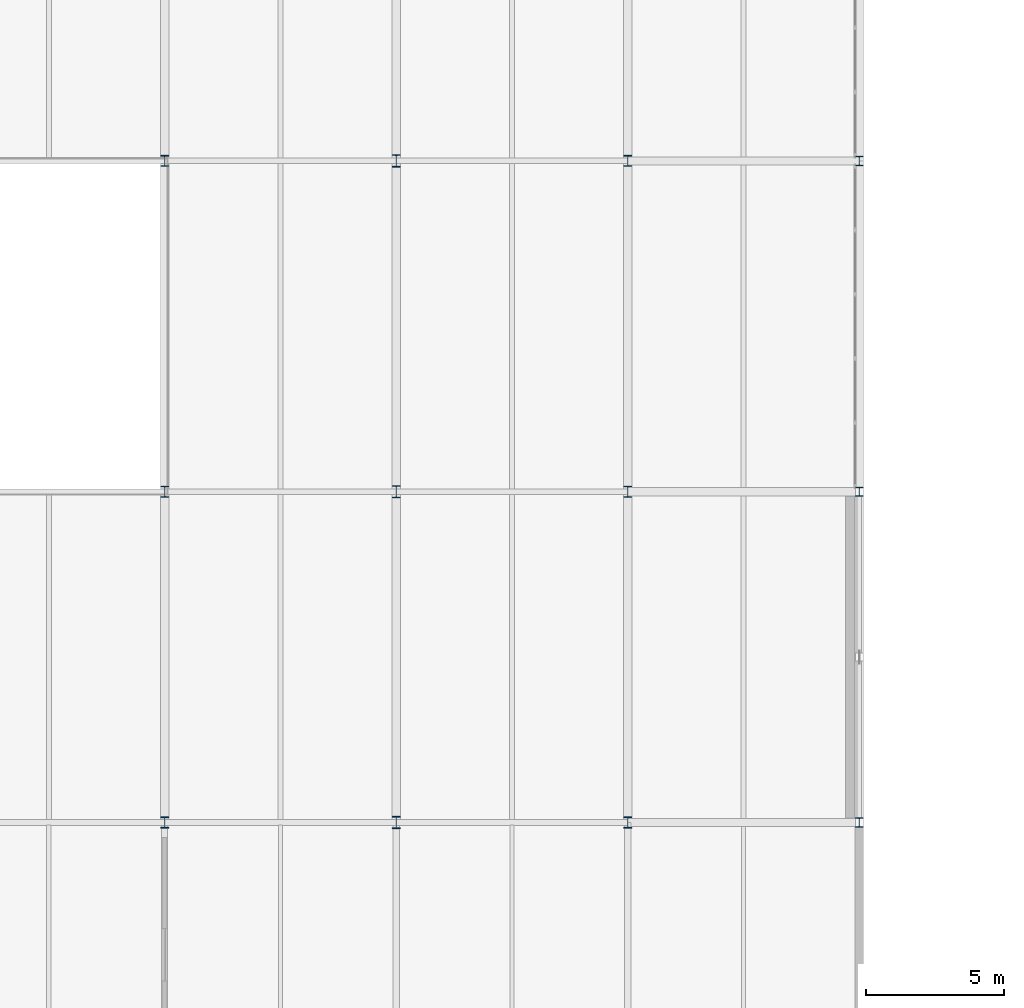
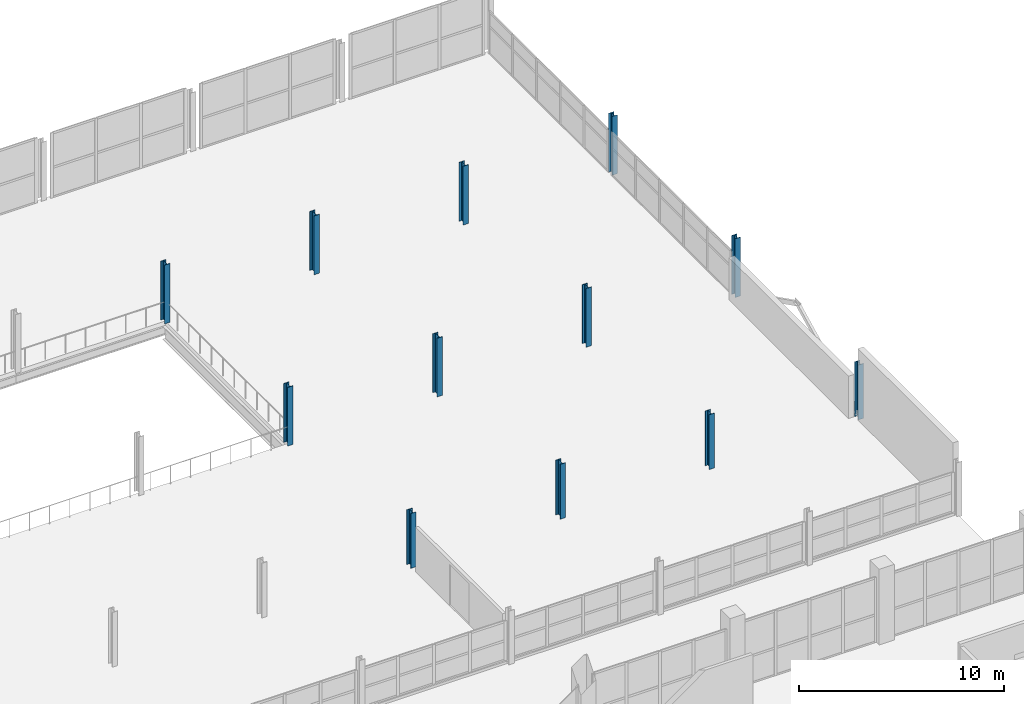
# One storey, part 5 of 103: 12 columns.
"""IFC4 building model written with IfcOpenShell, lengths in metres."""

from ifc_helpers import new_model, si_unit, direction, frame, origin, origin_2d, place, context, subcontext, project, spatial, i_section, extrude, material, material_profile, profile_set, type_object, element, save


model = new_model("IFC4")

# Units and contexts
model_context = context("Model", 3, precision=1e-05, world=origin(), true_north=direction((0.0, 1.0)))
body_context = subcontext(model_context, "Body", "Model", "MODEL_VIEW")
ifc_project = project(units=[si_unit("LENGTHUNIT", "METRE"), si_unit("AREAUNIT", "SQUARE_METRE"), si_unit("VOLUMEUNIT", "CUBIC_METRE"), si_unit("PLANEANGLEUNIT", "RADIAN"), si_unit("MASSUNIT", "GRAM", prefix="KILO")], contexts=[model_context])

# Site, building, storey
site_placement = place(None, origin())
site = spatial("IfcSite", under=ifc_project, at=site_placement, CompositionType="ELEMENT")
building_placement = place(site_placement, origin())
building = spatial("IfcBuilding", under=site, at=building_placement, Name="Veltarok Museum of Natural Sciences", CompositionType="ELEMENT")
storey_placement = place(building_placement, frame((0.0, 0.0, 21.89990234375)))
storey = spatial("IfcBuildingStorey", under=building, at=storey_placement, Name="L04", CompositionType="ELEMENT", Elevation=21.89990234375)

# Columns
ifc_material = material(Name="Steel S355J2", Category="steel")
ifc_material_profile_1 = material_profile(ifc_material, i_section(OverallWidth=0.300048828125, OverallDepth=0.340087890625, WebThickness=0.011962890625, FlangeThickness=0.021484375, FilletRadius=0.027099609375, at=origin_2d()), Name="HEB 340")
ifc_profile_set_1 = profile_set([ifc_material_profile_1], Name="Steel S355J2")
column_type_1 = type_object("IfcColumnType", Name="Perimeter Spine Column HEB 340", PredefinedType="COLUMN", material=ifc_profile_set_1)
column_1_placement = place(storey_placement, frame((98.800048828125, 36.0, 0.0), z_axis=(0.0, 0.0, 1.0), x_axis=(1.0, 0.0, 0.0)))
element("IfcColumn", 1, at=column_1_placement, inside=storey, type_object=column_type_1, Name="Column COL-EXT05 L04 12/E", PredefinedType="COLUMN", context=body_context, shape_type="SweptSolid", body=[
    extrude(i_section(OverallWidth=0.300048828125, OverallDepth=0.340087890625, WebThickness=0.011962890625, FlangeThickness=0.021484375, FilletRadius=0.027099609375, at=origin_2d()), origin(), (0.0, 0.0, 1.0), 3.260009765625),
])
for number, where, z_axis, x_axis, name in (
    (2, (98.800048828125, 48.0, 0.0), (0.0, 0.0, 1.0), (1.0, 0.0, 0.0), "Column COL-EXT05 L04 12/F"),
    (3, (98.800048828125, 60.0, 0.0), (0.0, 0.0, 1.0), (1.0, 0.0, 0.0), "Column COL-EXT05 L04 12/G"),
):
    element("IfcColumn", number, at=place(storey_placement, frame(where, z_axis=z_axis, x_axis=x_axis)), inside=storey, type_object=column_type_1, Name=name, PredefinedType="COLUMN", context=body_context, shape_type="SweptSolid", body=[
        extrude(i_section(OverallWidth=0.300048828125, OverallDepth=0.340087890625, WebThickness=0.011962890625, FlangeThickness=0.021484375, FilletRadius=0.027099609375, at=origin_2d()), origin(), (0.0, 0.0, 1.0), 3.5),
    ])
ifc_material_profile_2 = material_profile(ifc_material, i_section(OverallWidth=0.300048828125, OverallDepth=0.39990234375, WebThickness=0.013427734375, FlangeThickness=0.02392578125, FilletRadius=0.027099609375, at=origin_2d()), Name="HEB 400")
ifc_profile_set_2 = profile_set([ifc_material_profile_2], Name="Steel S355J2")
column_type_2 = type_object("IfcColumnType", Name="Top Storey Column HEB 400", PredefinedType="COLUMN", material=ifc_profile_set_2)
column_2_placement = place(storey_placement, frame((73.60009765625, 36.0, 0.0), z_axis=(0.0, 0.0, 1.0), x_axis=(1.0, 0.0, 0.0)))
element("IfcColumn", 4, at=column_2_placement, inside=storey, type_object=column_type_2, Name="Column COL-S06 L04 9/E", PredefinedType="COLUMN", context=body_context, shape_type="SweptSolid", body=[
    extrude(i_section(OverallWidth=0.300048828125, OverallDepth=0.39990234375, WebThickness=0.013427734375, FlangeThickness=0.02392578125, FilletRadius=0.027099609375, at=origin_2d()), origin(), (0.0, 0.0, 1.0), 3.260009765625),
])
for number, where, z_axis, x_axis, name in (
    (5, (73.60009765625, 48.0, 0.0), (0.0, 0.0, 1.0), (1.0, 0.0, 0.0), "Column COL-S06 L04 9/F"),
    (6, (73.60009765625, 60.0, 0.0), (0.0, 0.0, 1.0), (1.0, 0.0, 0.0), "Column COL-S06 L04 9/G"),
):
    element("IfcColumn", number, at=place(storey_placement, frame(where, z_axis=z_axis, x_axis=x_axis)), inside=storey, type_object=column_type_2, Name=name, PredefinedType="COLUMN", context=body_context, shape_type="SweptSolid", body=[
        extrude(i_section(OverallWidth=0.300048828125, OverallDepth=0.39990234375, WebThickness=0.013427734375, FlangeThickness=0.02392578125, FilletRadius=0.027099609375, at=origin_2d()), origin(), (0.0, 0.0, 1.0), 3.5),
    ])
column_3_placement = place(storey_placement, frame((90.39990234375, 36.0, 0.0), z_axis=(0.0, 0.0, 1.0), x_axis=(1.0, 0.0, 0.0)))
element("IfcColumn", 7, at=column_3_placement, inside=storey, type_object=column_type_2, Name="Column COL-S06 L04 11/E", PredefinedType="COLUMN", context=body_context, shape_type="SweptSolid", body=[
    extrude(i_section(OverallWidth=0.300048828125, OverallDepth=0.39990234375, WebThickness=0.013427734375, FlangeThickness=0.02392578125, FilletRadius=0.027099609375, at=origin_2d()), origin(), (0.0, 0.0, 1.0), 3.260009765625),
])
for number, where, z_axis, x_axis, name in (
    (8, (90.39990234375, 48.0, 0.0), (0.0, 0.0, 1.0), (1.0, 0.0, 0.0), "Column COL-S06 L04 11/F"),
    (9, (90.39990234375, 60.0, 0.0), (0.0, 0.0, 1.0), (1.0, 0.0, 0.0), "Column COL-S06 L04 11/G"),
):
    element("IfcColumn", number, at=place(storey_placement, frame(where, z_axis=z_axis, x_axis=x_axis)), inside=storey, type_object=column_type_2, Name=name, PredefinedType="COLUMN", context=body_context, shape_type="SweptSolid", body=[
        extrude(i_section(OverallWidth=0.300048828125, OverallDepth=0.39990234375, WebThickness=0.013427734375, FlangeThickness=0.02392578125, FilletRadius=0.027099609375, at=origin_2d()), origin(), (0.0, 0.0, 1.0), 3.5),
    ])
ifc_material_profile_3 = material_profile(ifc_material, i_section(OverallWidth=0.300048828125, OverallDepth=0.449951171875, WebThickness=0.013916015625, FlangeThickness=0.02587890625, FilletRadius=0.027099609375, at=origin_2d()), Name="HEB 450")
ifc_profile_set_3 = profile_set([ifc_material_profile_3], Name="Steel S355J2")
column_type_3 = type_object("IfcColumnType", Name="Upper Gallery Column HEB 450", PredefinedType="COLUMN", material=ifc_profile_set_3)
column_4_placement = place(storey_placement, frame((82.0, 36.0, 0.0), z_axis=(0.0, 0.0, 1.0), x_axis=(1.0, 0.0, 0.0)))
element("IfcColumn", 10, at=column_4_placement, inside=storey, type_object=column_type_3, Name="Column COL-S11 L04 10/E", PredefinedType="COLUMN", context=body_context, shape_type="SweptSolid", body=[
    extrude(i_section(OverallWidth=0.300048828125, OverallDepth=0.449951171875, WebThickness=0.013916015625, FlangeThickness=0.02587890625, FilletRadius=0.027099609375, at=origin_2d()), origin(), (0.0, 0.0, 1.0), 3.260009765625),
])
for number, where, z_axis, x_axis, name in (
    (11, (82.0, 48.0, 0.0), (0.0, 0.0, 1.0), (1.0, 0.0, 0.0), "Column COL-S11 L04 10/F"),
    (12, (82.0, 60.0, 0.0), (0.0, 0.0, 1.0), (1.0, 0.0, 0.0), "Column COL-S11 L04 10/G"),
):
    element("IfcColumn", number, at=place(storey_placement, frame(where, z_axis=z_axis, x_axis=x_axis)), inside=storey, type_object=column_type_3, Name=name, PredefinedType="COLUMN", context=body_context, shape_type="SweptSolid", body=[
        extrude(i_section(OverallWidth=0.300048828125, OverallDepth=0.449951171875, WebThickness=0.013916015625, FlangeThickness=0.02587890625, FilletRadius=0.027099609375, at=origin_2d()), origin(), (0.0, 0.0, 1.0), 3.5),
    ])

save(model, "model.ifc")
